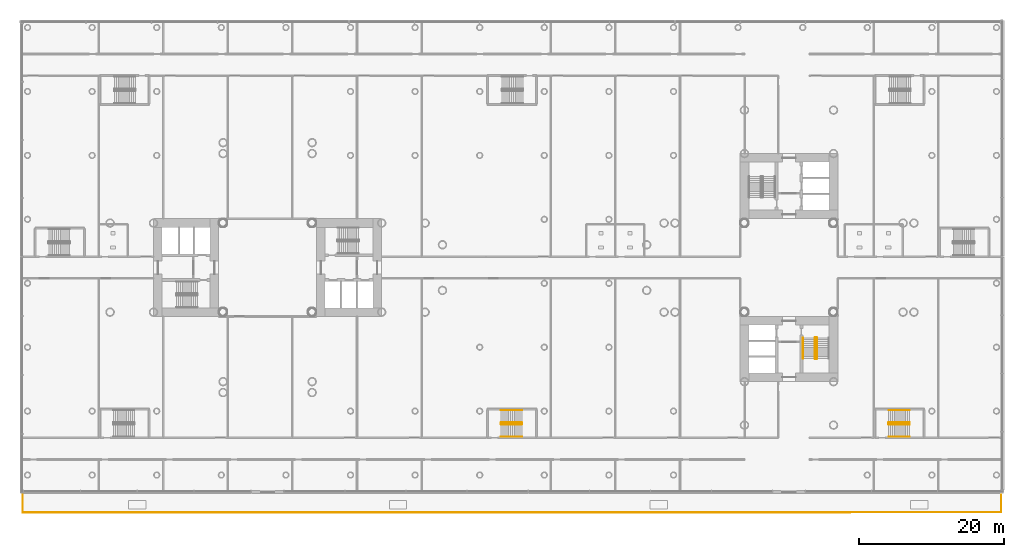
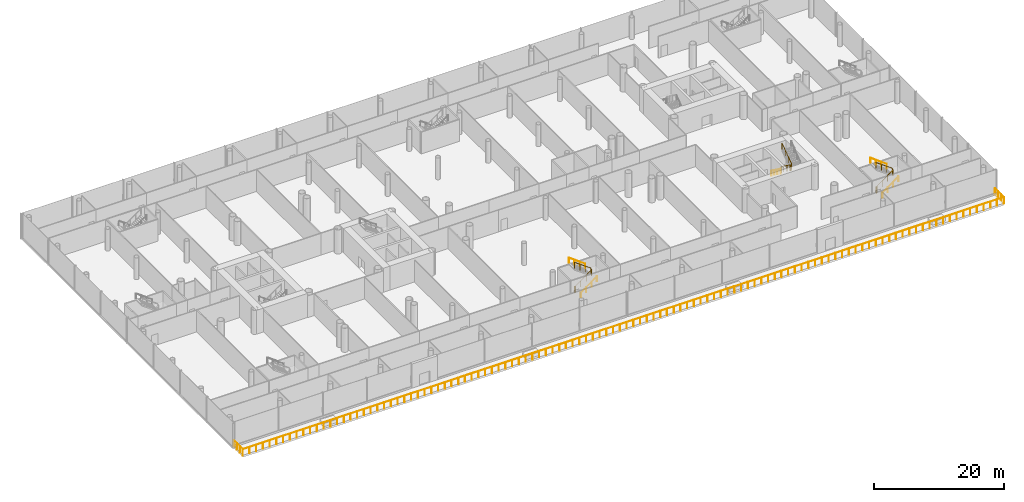
# One storey, part 47 of 49: 9 railings.
"""IFC4 building model written with IfcOpenShell, lengths in metres."""

from ifc_helpers import new_model, si_unit, direction, frame, origin, origin_2d, place, context, subcontext, project, spatial, circle, extrude, material, type_object, element, save


model = new_model("IFC4")

# Units and contexts
model_context = context("Model", 3, precision=1e-05, world=origin(), true_north=direction((0.0, 1.0)))
body_context = subcontext(model_context, "Body", "Model", "MODEL_VIEW")
ifc_project = project(units=[si_unit("LENGTHUNIT", "METRE"), si_unit("AREAUNIT", "SQUARE_METRE"), si_unit("VOLUMEUNIT", "CUBIC_METRE"), si_unit("PLANEANGLEUNIT", "RADIAN"), si_unit("MASSUNIT", "GRAM", prefix="KILO")], contexts=[model_context])

# Site, building, storey
site_placement = place(None, origin())
site = spatial("IfcSite", under=ifc_project, at=site_placement, CompositionType="ELEMENT")
building_placement = place(site_placement, origin())
building = spatial("IfcBuilding", under=site, at=building_placement, Name="Ipe Terrace Towers", CompositionType="ELEMENT")
storey_placement = place(building_placement, frame((0.0, 0.0, 20.0)))
storey = spatial("IfcBuildingStorey", under=building, at=storey_placement, Name="L04", CompositionType="ELEMENT", Elevation=20.0)

# Railings
ifc_material_1 = material(Name="Stainless steel S316", Category="steel")
railing_type_1 = type_object("IfcRailingType", Name="ROOF GUARD 1200", PredefinedType="BALUSTRADE", material=ifc_material_1)
railing_1_placement = place(storey_placement, frame((65.300048828125, -31.070068359375, -0.02001953125)))
element("IfcRailing", 1, at=railing_1_placement, inside=storey, type_object=railing_type_1, Name="roof guard", PredefinedType="BALUSTRADE", context=body_context, shape_type="SweptSolid", body=[
    extrude(circle(Radius=0.02392578125, at=origin_2d()), frame((0.0, 0.0, 1.17578125), z_axis=(0.0, -1.0, 0.0), x_axis=(1.0, 0.0, 0.0)), (0.0, 0.0, 1.0), 2.72998046875),
    extrude(circle(Radius=0.02392578125, at=origin_2d()), frame((0.0, -2.72998046875, 1.17578125), z_axis=(-1.0, 0.0, 0.0), x_axis=(0.0, -1.0, 0.0)), (0.0, 0.0, 1.0), 135.10009765625),
    extrude(circle(Radius=0.02392578125, at=origin_2d()), frame((-135.10009765625, -2.72998046875, 1.17578125), z_axis=(0.0, 1.0, 0.0), x_axis=(-1.0, 0.0, 0.0)), (0.0, 0.0, 1.0), 2.72998046875),
    extrude(circle(Radius=0.02099609375, at=origin_2d()), origin(), (0.0, 0.0, 1.0), 1.15185546875),
    extrude(circle(Radius=0.02099609375, at=origin_2d()), frame((0.0, -0.909912109375, 0.0)), (0.0, 0.0, 1.0), 1.15185546875),
    extrude(circle(Radius=0.02099609375, at=origin_2d()), frame((0.0, -1.820068359375, 0.0)), (0.0, 0.0, 1.0), 1.15185546875),
    extrude(circle(Radius=0.02099609375, at=origin_2d()), frame((0.0, -2.72998046875, 0.0)), (0.0, 0.0, 1.0), 1.15185546875),
    extrude(circle(Radius=0.02099609375, at=origin_2d()), frame((-1.195556640625, -2.72998046875, 0.0)), (0.0, 0.0, 1.0), 1.15185546875),
    extrude(circle(Radius=0.02099609375, at=origin_2d()), frame((-2.39111328125, -2.72998046875, 0.0)), (0.0, 0.0, 1.0), 1.15185546875),
    extrude(circle(Radius=0.02099609375, at=origin_2d()), frame((-3.586669921875, -2.72998046875, 0.0)), (0.0, 0.0, 1.0), 1.15185546875),
    extrude(circle(Radius=0.02099609375, at=origin_2d()), frame((-4.7822265625, -2.72998046875, 0.0)), (0.0, 0.0, 1.0), 1.15185546875),
    extrude(circle(Radius=0.02099609375, at=origin_2d()), frame((-5.977783203125, -2.72998046875, 0.0)), (0.0, 0.0, 1.0), 1.15185546875),
    extrude(circle(Radius=0.02099609375, at=origin_2d()), frame((-7.17333984375, -2.72998046875, 0.0)), (0.0, 0.0, 1.0), 1.15185546875),
    extrude(circle(Radius=0.02099609375, at=origin_2d()), frame((-8.369140625, -2.72998046875, 0.0)), (0.0, 0.0, 1.0), 1.15185546875),
    extrude(circle(Radius=0.02099609375, at=origin_2d()), frame((-9.564697265625, -2.72998046875, 0.0)), (0.0, 0.0, 1.0), 1.15185546875),
    extrude(circle(Radius=0.02099609375, at=origin_2d()), frame((-10.76025390625, -2.72998046875, 0.0)), (0.0, 0.0, 1.0), 1.15185546875),
    extrude(circle(Radius=0.02099609375, at=origin_2d()), frame((-11.955810546875, -2.72998046875, 0.0)), (0.0, 0.0, 1.0), 1.15185546875),
    extrude(circle(Radius=0.02099609375, at=origin_2d()), frame((-13.1513671875, -2.72998046875, 0.0)), (0.0, 0.0, 1.0), 1.15185546875),
    extrude(circle(Radius=0.02099609375, at=origin_2d()), frame((-14.346923828125, -2.72998046875, 0.0)), (0.0, 0.0, 1.0), 1.15185546875),
    extrude(circle(Radius=0.02099609375, at=origin_2d()), frame((-15.54248046875, -2.72998046875, 0.0)), (0.0, 0.0, 1.0), 1.15185546875),
    extrude(circle(Radius=0.02099609375, at=origin_2d()), frame((-16.738037109375, -2.72998046875, 0.0)), (0.0, 0.0, 1.0), 1.15185546875),
    extrude(circle(Radius=0.02099609375, at=origin_2d()), frame((-17.93359375, -2.72998046875, 0.0)), (0.0, 0.0, 1.0), 1.15185546875),
    extrude(circle(Radius=0.02099609375, at=origin_2d()), frame((-19.129150390625, -2.72998046875, 0.0)), (0.0, 0.0, 1.0), 1.15185546875),
    extrude(circle(Radius=0.02099609375, at=origin_2d()), frame((-20.32470703125, -2.72998046875, 0.0)), (0.0, 0.0, 1.0), 1.15185546875),
    extrude(circle(Radius=0.02099609375, at=origin_2d()), frame((-21.520263671875, -2.72998046875, 0.0)), (0.0, 0.0, 1.0), 1.15185546875),
    extrude(circle(Radius=0.02099609375, at=origin_2d()), frame((-22.716064453125, -2.72998046875, 0.0)), (0.0, 0.0, 1.0), 1.15185546875),
    extrude(circle(Radius=0.02099609375, at=origin_2d()), frame((-23.91162109375, -2.72998046875, 0.0)), (0.0, 0.0, 1.0), 1.15185546875),
    extrude(circle(Radius=0.02099609375, at=origin_2d()), frame((-25.107177734375, -2.72998046875, 0.0)), (0.0, 0.0, 1.0), 1.15185546875),
    extrude(circle(Radius=0.02099609375, at=origin_2d()), frame((-26.302734375, -2.72998046875, 0.0)), (0.0, 0.0, 1.0), 1.15185546875),
    extrude(circle(Radius=0.02099609375, at=origin_2d()), frame((-27.498291015625, -2.72998046875, 0.0)), (0.0, 0.0, 1.0), 1.15185546875),
    extrude(circle(Radius=0.02099609375, at=origin_2d()), frame((-28.69384765625, -2.72998046875, 0.0)), (0.0, 0.0, 1.0), 1.15185546875),
    extrude(circle(Radius=0.02099609375, at=origin_2d()), frame((-29.889404296875, -2.72998046875, 0.0)), (0.0, 0.0, 1.0), 1.15185546875),
    extrude(circle(Radius=0.02099609375, at=origin_2d()), frame((-31.0849609375, -2.72998046875, 0.0)), (0.0, 0.0, 1.0), 1.15185546875),
    extrude(circle(Radius=0.02099609375, at=origin_2d()), frame((-32.280517578125, -2.72998046875, 0.0)), (0.0, 0.0, 1.0), 1.15185546875),
    extrude(circle(Radius=0.02099609375, at=origin_2d()), frame((-33.47607421875, -2.72998046875, 0.0)), (0.0, 0.0, 1.0), 1.15185546875),
    extrude(circle(Radius=0.02099609375, at=origin_2d()), frame((-34.671630859375, -2.72998046875, 0.0)), (0.0, 0.0, 1.0), 1.15185546875),
    extrude(circle(Radius=0.02099609375, at=origin_2d()), frame((-35.8671875, -2.72998046875, 0.0)), (0.0, 0.0, 1.0), 1.15185546875),
    extrude(circle(Radius=0.02099609375, at=origin_2d()), frame((-37.062744140625, -2.72998046875, 0.0)), (0.0, 0.0, 1.0), 1.15185546875),
    extrude(circle(Radius=0.02099609375, at=origin_2d()), frame((-38.258544921875, -2.72998046875, 0.0)), (0.0, 0.0, 1.0), 1.15185546875),
    extrude(circle(Radius=0.02099609375, at=origin_2d()), frame((-39.4541015625, -2.72998046875, 0.0)), (0.0, 0.0, 1.0), 1.15185546875),
    extrude(circle(Radius=0.02099609375, at=origin_2d()), frame((-40.649658203125, -2.72998046875, 0.0)), (0.0, 0.0, 1.0), 1.15185546875),
    extrude(circle(Radius=0.02099609375, at=origin_2d()), frame((-41.84521484375, -2.72998046875, 0.0)), (0.0, 0.0, 1.0), 1.15185546875),
    extrude(circle(Radius=0.02099609375, at=origin_2d()), frame((-43.040771484375, -2.72998046875, 0.0)), (0.0, 0.0, 1.0), 1.15185546875),
    extrude(circle(Radius=0.02099609375, at=origin_2d()), frame((-44.236328125, -2.72998046875, 0.0)), (0.0, 0.0, 1.0), 1.15185546875),
    extrude(circle(Radius=0.02099609375, at=origin_2d()), frame((-45.431884765625, -2.72998046875, 0.0)), (0.0, 0.0, 1.0), 1.15185546875),
    extrude(circle(Radius=0.02099609375, at=origin_2d()), frame((-46.62744140625, -2.72998046875, 0.0)), (0.0, 0.0, 1.0), 1.15185546875),
    extrude(circle(Radius=0.02099609375, at=origin_2d()), frame((-47.822998046875, -2.72998046875, 0.0)), (0.0, 0.0, 1.0), 1.15185546875),
    extrude(circle(Radius=0.02099609375, at=origin_2d()), frame((-49.0185546875, -2.72998046875, 0.0)), (0.0, 0.0, 1.0), 1.15185546875),
    extrude(circle(Radius=0.02099609375, at=origin_2d()), frame((-50.214111328125, -2.72998046875, 0.0)), (0.0, 0.0, 1.0), 1.15185546875),
    extrude(circle(Radius=0.02099609375, at=origin_2d()), frame((-51.40966796875, -2.72998046875, 0.0)), (0.0, 0.0, 1.0), 1.15185546875),
    extrude(circle(Radius=0.02099609375, at=origin_2d()), frame((-52.60546875, -2.72998046875, 0.0)), (0.0, 0.0, 1.0), 1.15185546875),
    extrude(circle(Radius=0.02099609375, at=origin_2d()), frame((-53.801025390625, -2.72998046875, 0.0)), (0.0, 0.0, 1.0), 1.15185546875),
    extrude(circle(Radius=0.02099609375, at=origin_2d()), frame((-54.99658203125, -2.72998046875, 0.0)), (0.0, 0.0, 1.0), 1.15185546875),
    extrude(circle(Radius=0.02099609375, at=origin_2d()), frame((-56.192138671875, -2.72998046875, 0.0)), (0.0, 0.0, 1.0), 1.15185546875),
    extrude(circle(Radius=0.02099609375, at=origin_2d()), frame((-57.3876953125, -2.72998046875, 0.0)), (0.0, 0.0, 1.0), 1.15185546875),
    extrude(circle(Radius=0.02099609375, at=origin_2d()), frame((-58.583251953125, -2.72998046875, 0.0)), (0.0, 0.0, 1.0), 1.15185546875),
    extrude(circle(Radius=0.02099609375, at=origin_2d()), frame((-59.77880859375, -2.72998046875, 0.0)), (0.0, 0.0, 1.0), 1.15185546875),
    extrude(circle(Radius=0.02099609375, at=origin_2d()), frame((-60.974365234375, -2.72998046875, 0.0)), (0.0, 0.0, 1.0), 1.15185546875),
    extrude(circle(Radius=0.02099609375, at=origin_2d()), frame((-62.169921875, -2.72998046875, 0.0)), (0.0, 0.0, 1.0), 1.15185546875),
    extrude(circle(Radius=0.02099609375, at=origin_2d()), frame((-63.365478515625, -2.72998046875, 0.0)), (0.0, 0.0, 1.0), 1.15185546875),
    extrude(circle(Radius=0.02099609375, at=origin_2d()), frame((-64.56103515625, -2.72998046875, 0.0)), (0.0, 0.0, 1.0), 1.15185546875),
    extrude(circle(Radius=0.02099609375, at=origin_2d()), frame((-65.756591796875, -2.72998046875, 0.0)), (0.0, 0.0, 1.0), 1.15185546875),
    extrude(circle(Radius=0.02099609375, at=origin_2d()), frame((-66.9521484375, -2.72998046875, 0.0)), (0.0, 0.0, 1.0), 1.15185546875),
    extrude(circle(Radius=0.02099609375, at=origin_2d()), frame((-68.14794921875, -2.72998046875, 0.0)), (0.0, 0.0, 1.0), 1.15185546875),
    extrude(circle(Radius=0.02099609375, at=origin_2d()), frame((-69.343505859375, -2.72998046875, 0.0)), (0.0, 0.0, 1.0), 1.15185546875),
    extrude(circle(Radius=0.02099609375, at=origin_2d()), frame((-70.5390625, -2.72998046875, 0.0)), (0.0, 0.0, 1.0), 1.15185546875),
    extrude(circle(Radius=0.02099609375, at=origin_2d()), frame((-71.734619140625, -2.72998046875, 0.0)), (0.0, 0.0, 1.0), 1.15185546875),
    extrude(circle(Radius=0.02099609375, at=origin_2d()), frame((-72.93017578125, -2.72998046875, 0.0)), (0.0, 0.0, 1.0), 1.15185546875),
    extrude(circle(Radius=0.02099609375, at=origin_2d()), frame((-74.125732421875, -2.72998046875, 0.0)), (0.0, 0.0, 1.0), 1.15185546875),
    extrude(circle(Radius=0.02099609375, at=origin_2d()), frame((-75.3212890625, -2.72998046875, 0.0)), (0.0, 0.0, 1.0), 1.15185546875),
    extrude(circle(Radius=0.02099609375, at=origin_2d()), frame((-76.516845703125, -2.72998046875, 0.0)), (0.0, 0.0, 1.0), 1.15185546875),
    extrude(circle(Radius=0.02099609375, at=origin_2d()), frame((-77.71240234375, -2.72998046875, 0.0)), (0.0, 0.0, 1.0), 1.15185546875),
    extrude(circle(Radius=0.02099609375, at=origin_2d()), frame((-78.907958984375, -2.72998046875, 0.0)), (0.0, 0.0, 1.0), 1.15185546875),
    extrude(circle(Radius=0.02099609375, at=origin_2d()), frame((-80.103515625, -2.72998046875, 0.0)), (0.0, 0.0, 1.0), 1.15185546875),
    extrude(circle(Radius=0.02099609375, at=origin_2d()), frame((-81.299072265625, -2.72998046875, 0.0)), (0.0, 0.0, 1.0), 1.15185546875),
    extrude(circle(Radius=0.02099609375, at=origin_2d()), frame((-82.49462890625, -2.72998046875, 0.0)), (0.0, 0.0, 1.0), 1.15185546875),
    extrude(circle(Radius=0.02099609375, at=origin_2d()), frame((-83.6904296875, -2.72998046875, 0.0)), (0.0, 0.0, 1.0), 1.15185546875),
    extrude(circle(Radius=0.02099609375, at=origin_2d()), frame((-84.885986328125, -2.72998046875, 0.0)), (0.0, 0.0, 1.0), 1.15185546875),
    extrude(circle(Radius=0.02099609375, at=origin_2d()), frame((-86.08154296875, -2.72998046875, 0.0)), (0.0, 0.0, 1.0), 1.15185546875),
    extrude(circle(Radius=0.02099609375, at=origin_2d()), frame((-87.277099609375, -2.72998046875, 0.0)), (0.0, 0.0, 1.0), 1.15185546875),
    extrude(circle(Radius=0.02099609375, at=origin_2d()), frame((-88.47265625, -2.72998046875, 0.0)), (0.0, 0.0, 1.0), 1.15185546875),
    extrude(circle(Radius=0.02099609375, at=origin_2d()), frame((-89.668212890625, -2.72998046875, 0.0)), (0.0, 0.0, 1.0), 1.15185546875),
    extrude(circle(Radius=0.02099609375, at=origin_2d()), frame((-90.86376953125, -2.72998046875, 0.0)), (0.0, 0.0, 1.0), 1.15185546875),
    extrude(circle(Radius=0.02099609375, at=origin_2d()), frame((-92.059326171875, -2.72998046875, 0.0)), (0.0, 0.0, 1.0), 1.15185546875),
    extrude(circle(Radius=0.02099609375, at=origin_2d()), frame((-93.2548828125, -2.72998046875, 0.0)), (0.0, 0.0, 1.0), 1.15185546875),
    extrude(circle(Radius=0.02099609375, at=origin_2d()), frame((-94.450439453125, -2.72998046875, 0.0)), (0.0, 0.0, 1.0), 1.15185546875),
    extrude(circle(Radius=0.02099609375, at=origin_2d()), frame((-95.64599609375, -2.72998046875, 0.0)), (0.0, 0.0, 1.0), 1.15185546875),
    extrude(circle(Radius=0.02099609375, at=origin_2d()), frame((-96.841552734375, -2.72998046875, 0.0)), (0.0, 0.0, 1.0), 1.15185546875),
    extrude(circle(Radius=0.02099609375, at=origin_2d()), frame((-98.037353515625, -2.72998046875, 0.0)), (0.0, 0.0, 1.0), 1.15185546875),
    extrude(circle(Radius=0.02099609375, at=origin_2d()), frame((-99.23291015625, -2.72998046875, 0.0)), (0.0, 0.0, 1.0), 1.15185546875),
    extrude(circle(Radius=0.02099609375, at=origin_2d()), frame((-100.428466796875, -2.72998046875, 0.0)), (0.0, 0.0, 1.0), 1.15185546875),
    extrude(circle(Radius=0.02099609375, at=origin_2d()), frame((-101.6240234375, -2.72998046875, 0.0)), (0.0, 0.0, 1.0), 1.15185546875),
    extrude(circle(Radius=0.02099609375, at=origin_2d()), frame((-102.819580078125, -2.72998046875, 0.0)), (0.0, 0.0, 1.0), 1.15185546875),
    extrude(circle(Radius=0.02099609375, at=origin_2d()), frame((-104.01513671875, -2.72998046875, 0.0)), (0.0, 0.0, 1.0), 1.15185546875),
    extrude(circle(Radius=0.02099609375, at=origin_2d()), frame((-105.210693359375, -2.72998046875, 0.0)), (0.0, 0.0, 1.0), 1.15185546875),
    extrude(circle(Radius=0.02099609375, at=origin_2d()), frame((-106.40625, -2.72998046875, 0.0)), (0.0, 0.0, 1.0), 1.15185546875),
    extrude(circle(Radius=0.02099609375, at=origin_2d()), frame((-107.601806640625, -2.72998046875, 0.0)), (0.0, 0.0, 1.0), 1.15185546875),
    extrude(circle(Radius=0.02099609375, at=origin_2d()), frame((-108.79736328125, -2.72998046875, 0.0)), (0.0, 0.0, 1.0), 1.15185546875),
    extrude(circle(Radius=0.02099609375, at=origin_2d()), frame((-109.992919921875, -2.72998046875, 0.0)), (0.0, 0.0, 1.0), 1.15185546875),
    extrude(circle(Radius=0.02099609375, at=origin_2d()), frame((-111.1884765625, -2.72998046875, 0.0)), (0.0, 0.0, 1.0), 1.15185546875),
    extrude(circle(Radius=0.02099609375, at=origin_2d()), frame((-112.384033203125, -2.72998046875, 0.0)), (0.0, 0.0, 1.0), 1.15185546875),
    extrude(circle(Radius=0.02099609375, at=origin_2d()), frame((-113.579833984375, -2.72998046875, 0.0)), (0.0, 0.0, 1.0), 1.15185546875),
    extrude(circle(Radius=0.02099609375, at=origin_2d()), frame((-114.775390625, -2.72998046875, 0.0)), (0.0, 0.0, 1.0), 1.15185546875),
    extrude(circle(Radius=0.02099609375, at=origin_2d()), frame((-115.970947265625, -2.72998046875, 0.0)), (0.0, 0.0, 1.0), 1.15185546875),
    extrude(circle(Radius=0.02099609375, at=origin_2d()), frame((-117.16650390625, -2.72998046875, 0.0)), (0.0, 0.0, 1.0), 1.15185546875),
    extrude(circle(Radius=0.02099609375, at=origin_2d()), frame((-118.362060546875, -2.72998046875, 0.0)), (0.0, 0.0, 1.0), 1.15185546875),
    extrude(circle(Radius=0.02099609375, at=origin_2d()), frame((-119.5576171875, -2.72998046875, 0.0)), (0.0, 0.0, 1.0), 1.15185546875),
    extrude(circle(Radius=0.02099609375, at=origin_2d()), frame((-120.753173828125, -2.72998046875, 0.0)), (0.0, 0.0, 1.0), 1.15185546875),
    extrude(circle(Radius=0.02099609375, at=origin_2d()), frame((-121.94873046875, -2.72998046875, 0.0)), (0.0, 0.0, 1.0), 1.15185546875),
    extrude(circle(Radius=0.02099609375, at=origin_2d()), frame((-123.144287109375, -2.72998046875, 0.0)), (0.0, 0.0, 1.0), 1.15185546875),
    extrude(circle(Radius=0.02099609375, at=origin_2d()), frame((-124.33984375, -2.72998046875, 0.0)), (0.0, 0.0, 1.0), 1.15185546875),
    extrude(circle(Radius=0.02099609375, at=origin_2d()), frame((-125.535400390625, -2.72998046875, 0.0)), (0.0, 0.0, 1.0), 1.15185546875),
    extrude(circle(Radius=0.02099609375, at=origin_2d()), frame((-126.73095703125, -2.72998046875, 0.0)), (0.0, 0.0, 1.0), 1.15185546875),
    extrude(circle(Radius=0.02099609375, at=origin_2d()), frame((-127.9267578125, -2.72998046875, 0.0)), (0.0, 0.0, 1.0), 1.15185546875),
    extrude(circle(Radius=0.02099609375, at=origin_2d()), frame((-129.122314453125, -2.72998046875, 0.0)), (0.0, 0.0, 1.0), 1.15185546875),
    extrude(circle(Radius=0.02099609375, at=origin_2d()), frame((-130.31787109375, -2.72998046875, 0.0)), (0.0, 0.0, 1.0), 1.15185546875),
    extrude(circle(Radius=0.02099609375, at=origin_2d()), frame((-131.513427734375, -2.72998046875, 0.0)), (0.0, 0.0, 1.0), 1.15185546875),
    extrude(circle(Radius=0.02099609375, at=origin_2d()), frame((-132.708984375, -2.72998046875, 0.0)), (0.0, 0.0, 1.0), 1.15185546875),
    extrude(circle(Radius=0.02099609375, at=origin_2d()), frame((-133.904541015625, -2.72998046875, 0.0)), (0.0, 0.0, 1.0), 1.15185546875),
    extrude(circle(Radius=0.02099609375, at=origin_2d()), frame((-135.10009765625, -2.72998046875, 0.0)), (0.0, 0.0, 1.0), 1.15185546875),
    extrude(circle(Radius=0.02099609375, at=origin_2d()), frame((-135.10009765625, -1.820068359375, 0.0)), (0.0, 0.0, 1.0), 1.15185546875),
    extrude(circle(Radius=0.02099609375, at=origin_2d()), frame((-135.10009765625, -0.909912109375, 0.0)), (0.0, 0.0, 1.0), 1.15185546875),
    extrude(circle(Radius=0.02099609375, at=origin_2d()), frame((-135.10009765625, 0.0, 0.0)), (0.0, 0.0, 1.0), 1.15185546875),
])
ifc_material_2 = material(Name="Steel S355", Category="steel")
railing_type_2 = type_object("IfcRailingType", Name="Stair guard 1100", PredefinedType="GUARDRAIL", material=ifc_material_2)
railing_2_placement = place(storey_placement, frame((39.800048828125, -9.64990234375, 0.0)))
element("IfcRailing", 2, at=railing_2_placement, inside=storey, type_object=railing_type_2, Name="L04 T2-ST2 stair guard 1", PredefinedType="GUARDRAIL", context=body_context, shape_type="SweptSolid", body=[
    extrude(circle(Radius=0.02392578125, at=origin_2d()), frame((0.0, 0.0, 1.076171875), z_axis=(-1.0, 0.0, 0.0), x_axis=(0.0, -1.0, 0.0)), (0.0, 0.0, 1.0), 0.150146484375),
    extrude(circle(Radius=0.02392578125, at=origin_2d()), frame((-0.150146484375, 0.0, 1.076171875), z_axis=(-0.248583702486, -0.249802250048, 0.935844527007), x_axis=(0.708833529934, -0.705375805398, 0.0)), (0.0, 0.0, 1.0), 0.200439453125),
    extrude(circle(Radius=0.02392578125, at=origin_2d()), frame((-0.199951171875, -0.050048828125, 1.263671875), z_axis=(0.0, -0.811100754333, 0.584906459462), x_axis=(1.0, 0.0, 0.0)), (0.0, 0.0, 1.0), 3.526123046875),
    extrude(circle(Radius=0.02392578125, at=origin_2d()), frame((-0.199951171875, -2.91015625, 3.326171875), z_axis=(0.705375805398, -0.708833529934, 0.0), x_axis=(0.708833529934, 0.705375805398, 0.0)), (0.0, 0.0, 1.0), 0.070556640625),
    extrude(circle(Radius=0.02392578125, at=origin_2d()), frame((-0.150146484375, -2.960205078125, 3.326171875), z_axis=(1.0, 0.0, 0.0), x_axis=(0.0, 1.0, 0.0)), (0.0, 0.0, 1.0), 0.150146484375),
    extrude(circle(Radius=0.02392578125, at=origin_2d()), frame((0.0, -2.960205078125, 3.326171875), z_axis=(0.249726431254, 0.249726431254, 0.935560483917), x_axis=(-0.707106781187, 0.707106781187, 0.0)), (0.0, 0.0, 1.0), 0.200439453125),
    extrude(circle(Radius=0.02392578125, at=origin_2d()), frame((0.050048828125, -2.91015625, 3.513671875), z_axis=(0.0, 0.811100754333, 0.584906459462), x_axis=(-1.0, 0.0, 0.0)), (0.0, 0.0, 1.0), 3.526123046875),
    extrude(circle(Radius=0.02099609375, at=origin_2d()), origin(), (0.0, 0.0, 1.0), 1.052001953125),
    extrude(circle(Radius=0.02099609375, at=origin_2d()), frame((-0.150146484375, 0.0, 0.0)), (0.0, 0.0, 1.0), 1.052001953125),
    extrude(circle(Radius=0.02099609375, at=origin_2d()), frame((-0.199951171875, -0.050048828125, 0.1875)), (0.0, 0.0, 1.0), 1.052001953125),
    extrude(circle(Radius=0.02099609375, at=origin_2d()), frame((-0.199951171875, -1.00341796875, 0.875)), (0.0, 0.0, 1.0), 1.052001953125),
    extrude(circle(Radius=0.02099609375, at=origin_2d()), frame((-0.199951171875, -1.956787109375, 1.5625)), (0.0, 0.0, 1.0), 1.052001953125),
    extrude(circle(Radius=0.02099609375, at=origin_2d()), frame((-0.199951171875, -2.91015625, 2.25)), (0.0, 0.0, 1.0), 1.052001953125),
    extrude(circle(Radius=0.02099609375, at=origin_2d()), frame((-0.150146484375, -2.960205078125, 2.25)), (0.0, 0.0, 1.0), 1.052001953125),
    extrude(circle(Radius=0.02099609375, at=origin_2d()), frame((0.0, -2.960205078125, 2.25)), (0.0, 0.0, 1.0), 1.052001953125),
    extrude(circle(Radius=0.02099609375, at=origin_2d()), frame((0.050048828125, -2.91015625, 2.4375)), (0.0, 0.0, 1.0), 1.052001953125),
    extrude(circle(Radius=0.02099609375, at=origin_2d()), frame((0.050048828125, -1.956787109375, 3.125)), (0.0, 0.0, 1.0), 1.052001953125),
    extrude(circle(Radius=0.02099609375, at=origin_2d()), frame((0.050048828125, -1.00341796875, 3.8125)), (0.0, 0.0, 1.0), 1.052001953125),
    extrude(circle(Radius=0.02099609375, at=origin_2d()), frame((0.050048828125, -0.050048828125, 4.5)), (0.0, 0.0, 1.0), 1.052001953125),
])
railing_3_placement = place(storey_placement, frame((-3.800048828125, -21.449951171875, 0.0)))
element("IfcRailing", 3, at=railing_3_placement, inside=storey, type_object=railing_type_2, Name="L04 PS5 stair guard 1", PredefinedType="GUARDRAIL", context=body_context, shape_type="SweptSolid", body=[
    extrude(circle(Radius=0.02392578125, at=origin_2d()), frame((0.0, 0.0, 1.076171875), z_axis=(0.0, -1.0, 0.0), x_axis=(1.0, 0.0, 0.0)), (0.0, 0.0, 1.0), 0.150146484375),
    extrude(circle(Radius=0.02392578125, at=origin_2d()), frame((0.0, -0.150146484375, 1.076171875), z_axis=(0.249802250048, -0.248583702486, 0.935844527007), x_axis=(0.705375805398, 0.708833529934, 0.0)), (0.0, 0.0, 1.0), 0.200439453125),
    extrude(circle(Radius=0.02392578125, at=origin_2d()), frame((0.050048828125, -0.199951171875, 1.263671875), z_axis=(0.811100754333, 0.0, 0.584906459462), x_axis=(0.0, 1.0, 0.0)), (0.0, 0.0, 1.0), 3.526123046875),
    extrude(circle(Radius=0.02392578125, at=origin_2d()), frame((2.91015625, -0.199951171875, 3.326171875), z_axis=(0.707106781187, 0.707106781187, 0.0), x_axis=(-0.707106781187, 0.707106781187, 0.0)), (0.0, 0.0, 1.0), 0.0703125),
    extrude(circle(Radius=0.02392578125, at=origin_2d()), frame((2.9599609375, -0.150146484375, 3.326171875), z_axis=(0.0, 1.0, 0.0), x_axis=(-1.0, 0.0, 0.0)), (0.0, 0.0, 1.0), 0.150146484375),
    extrude(circle(Radius=0.02392578125, at=origin_2d()), frame((2.9599609375, 0.0, 3.326171875), z_axis=(-0.248583702486, 0.249802250048, 0.935844527007), x_axis=(-0.708833529934, -0.705375805398, 0.0)), (0.0, 0.0, 1.0), 0.200439453125),
    extrude(circle(Radius=0.02392578125, at=origin_2d()), frame((2.91015625, 0.050048828125, 3.513671875), z_axis=(-0.811100754333, 0.0, 0.584906459462), x_axis=(0.0, -1.0, 0.0)), (0.0, 0.0, 1.0), 3.526123046875),
    extrude(circle(Radius=0.02099609375, at=origin_2d()), origin(), (0.0, 0.0, 1.0), 1.052001953125),
    extrude(circle(Radius=0.02099609375, at=origin_2d()), frame((0.0, -0.150146484375, 0.0)), (0.0, 0.0, 1.0), 1.052001953125),
    extrude(circle(Radius=0.02099609375, at=origin_2d()), frame((0.050048828125, -0.199951171875, 0.1875)), (0.0, 0.0, 1.0), 1.052001953125),
    extrude(circle(Radius=0.02099609375, at=origin_2d()), frame((1.00341796875, -0.199951171875, 0.875)), (0.0, 0.0, 1.0), 1.052001953125),
    extrude(circle(Radius=0.02099609375, at=origin_2d()), frame((1.956787109375, -0.199951171875, 1.5625)), (0.0, 0.0, 1.0), 1.052001953125),
    extrude(circle(Radius=0.02099609375, at=origin_2d()), frame((2.91015625, -0.199951171875, 2.25)), (0.0, 0.0, 1.0), 1.052001953125),
    extrude(circle(Radius=0.02099609375, at=origin_2d()), frame((2.9599609375, -0.150146484375, 2.25)), (0.0, 0.0, 1.0), 1.052001953125),
    extrude(circle(Radius=0.02099609375, at=origin_2d()), frame((2.9599609375, 0.0, 2.25)), (0.0, 0.0, 1.0), 1.052001953125),
    extrude(circle(Radius=0.02099609375, at=origin_2d()), frame((2.91015625, 0.050048828125, 2.4375)), (0.0, 0.0, 1.0), 1.052001953125),
    extrude(circle(Radius=0.02099609375, at=origin_2d()), frame((1.956787109375, 0.050048828125, 3.125)), (0.0, 0.0, 1.0), 1.052001953125),
    extrude(circle(Radius=0.02099609375, at=origin_2d()), frame((1.00341796875, 0.050048828125, 3.8125)), (0.0, 0.0, 1.0), 1.052001953125),
    extrude(circle(Radius=0.02099609375, at=origin_2d()), frame((0.050048828125, 0.050048828125, 4.5)), (0.0, 0.0, 1.0), 1.052001953125),
])
railing_4_placement = place(storey_placement, frame((49.719970703125, -21.449951171875, 0.0)))
element("IfcRailing", 4, at=railing_4_placement, inside=storey, type_object=railing_type_2, Name="L04 PS6 stair guard 1", PredefinedType="GUARDRAIL", context=body_context, shape_type="SweptSolid", body=[
    extrude(circle(Radius=0.02392578125, at=origin_2d()), frame((0.0, 0.0, 1.076171875), z_axis=(0.0, -1.0, 0.0), x_axis=(1.0, 0.0, 0.0)), (0.0, 0.0, 1.0), 0.150146484375),
    extrude(circle(Radius=0.02392578125, at=origin_2d()), frame((0.0, -0.150146484375, 1.076171875), z_axis=(0.249802250048, -0.248583702486, 0.935844527007), x_axis=(0.705375805398, 0.708833529934, 0.0)), (0.0, 0.0, 1.0), 0.200439453125),
    extrude(circle(Radius=0.02392578125, at=origin_2d()), frame((0.050048828125, -0.199951171875, 1.263671875), z_axis=(0.811077065594, 0.0, 0.584939307678), x_axis=(0.0, 1.0, 0.0)), (0.0, 0.0, 1.0), 3.526123046875),
    extrude(circle(Radius=0.02392578125, at=origin_2d()), frame((2.909912109375, -0.199951171875, 3.326171875), z_axis=(0.708833529934, 0.705375805398, 0.0), x_axis=(-0.705375805398, 0.708833529934, 0.0)), (0.0, 0.0, 1.0), 0.070556640625),
    extrude(circle(Radius=0.02392578125, at=origin_2d()), frame((2.9599609375, -0.150146484375, 3.326171875), z_axis=(0.0, 1.0, 0.0), x_axis=(-1.0, 0.0, 0.0)), (0.0, 0.0, 1.0), 0.150146484375),
    extrude(circle(Radius=0.02392578125, at=origin_2d()), frame((2.9599609375, 0.0, 3.326171875), z_axis=(-0.249726431254, 0.249726431254, 0.935560483917), x_axis=(-0.707106781187, -0.707106781187, 0.0)), (0.0, 0.0, 1.0), 0.200439453125),
    extrude(circle(Radius=0.02392578125, at=origin_2d()), frame((2.909912109375, 0.050048828125, 3.513671875), z_axis=(-0.811077065594, 0.0, 0.584939307678), x_axis=(0.0, -1.0, 0.0)), (0.0, 0.0, 1.0), 3.526123046875),
    extrude(circle(Radius=0.02099609375, at=origin_2d()), origin(), (0.0, 0.0, 1.0), 1.052001953125),
    extrude(circle(Radius=0.02099609375, at=origin_2d()), frame((0.0, -0.150146484375, 0.0)), (0.0, 0.0, 1.0), 1.052001953125),
    extrude(circle(Radius=0.02099609375, at=origin_2d()), frame((0.050048828125, -0.199951171875, 0.1875)), (0.0, 0.0, 1.0), 1.052001953125),
    extrude(circle(Radius=0.02099609375, at=origin_2d()), frame((1.00341796875, -0.199951171875, 0.875)), (0.0, 0.0, 1.0), 1.052001953125),
    extrude(circle(Radius=0.02099609375, at=origin_2d()), frame((1.95654296875, -0.199951171875, 1.5625)), (0.0, 0.0, 1.0), 1.052001953125),
    extrude(circle(Radius=0.02099609375, at=origin_2d()), frame((2.909912109375, -0.199951171875, 2.25)), (0.0, 0.0, 1.0), 1.052001953125),
    extrude(circle(Radius=0.02099609375, at=origin_2d()), frame((2.9599609375, -0.150146484375, 2.25)), (0.0, 0.0, 1.0), 1.052001953125),
    extrude(circle(Radius=0.02099609375, at=origin_2d()), frame((2.9599609375, 0.0, 2.25)), (0.0, 0.0, 1.0), 1.052001953125),
    extrude(circle(Radius=0.02099609375, at=origin_2d()), frame((2.909912109375, 0.050048828125, 2.4375)), (0.0, 0.0, 1.0), 1.052001953125),
    extrude(circle(Radius=0.02099609375, at=origin_2d()), frame((1.95654296875, 0.050048828125, 3.125)), (0.0, 0.0, 1.0), 1.052001953125),
    extrude(circle(Radius=0.02099609375, at=origin_2d()), frame((1.00341796875, 0.050048828125, 3.8125)), (0.0, 0.0, 1.0), 1.052001953125),
    extrude(circle(Radius=0.02099609375, at=origin_2d()), frame((0.050048828125, 0.050048828125, 4.5)), (0.0, 0.0, 1.0), 1.052001953125),
])
ifc_material_3 = material(Name="Stainless steel grade 304", Category="steel")
railing_type_3 = type_object("IfcRailingType", Name="Stair handrail 900", PredefinedType="HANDRAIL", material=ifc_material_3)
railing_5_placement = place(storey_placement, frame((37.949951171875, -9.699951171875, 0.1875)))
element("IfcRailing", 5, at=railing_5_placement, inside=storey, type_object=railing_type_3, Name="L04 T2-ST2 stair handrail 1", PredefinedType="HANDRAIL", context=body_context, shape_type="SweptSolid", body=[
    extrude(circle(Radius=0.02392578125, at=origin_2d()), frame((0.0, 0.0, 0.8759765625), z_axis=(0.0, -0.811100754333, 0.584906459462), x_axis=(1.0, 0.0, 0.0)), (0.0, 0.0, 1.0), 3.526123046875),
    extrude(circle(Radius=0.02099609375, at=origin_2d()), origin(), (0.0, 0.0, 1.0), 0.851806640625),
    extrude(circle(Radius=0.02099609375, at=origin_2d()), frame((0.0, -0.953369140625, 0.6875)), (0.0, 0.0, 1.0), 0.851806640625),
    extrude(circle(Radius=0.02099609375, at=origin_2d()), frame((0.0, -1.90673828125, 1.375)), (0.0, 0.0, 1.0), 0.851806640625),
    extrude(circle(Radius=0.02099609375, at=origin_2d()), frame((0.0, -2.860107421875, 2.0625)), (0.0, 0.0, 1.0), 0.851806640625),
])
railing_6_placement = place(storey_placement, frame((-3.75, -23.35009765625, 0.1875)))
element("IfcRailing", 6, at=railing_6_placement, inside=storey, type_object=railing_type_3, Name="L04 PS5 stair handrail 1", PredefinedType="HANDRAIL", context=body_context, shape_type="SweptSolid", body=[
    extrude(circle(Radius=0.02392578125, at=origin_2d()), frame((0.0, 0.0, 0.8759765625), z_axis=(0.811100754333, 0.0, 0.584906459462), x_axis=(0.0, 1.0, 0.0)), (0.0, 0.0, 1.0), 3.526123046875),
    extrude(circle(Radius=0.02099609375, at=origin_2d()), origin(), (0.0, 0.0, 1.0), 0.851806640625),
    extrude(circle(Radius=0.02099609375, at=origin_2d()), frame((0.953369140625, 0.0, 0.6875)), (0.0, 0.0, 1.0), 0.851806640625),
    extrude(circle(Radius=0.02099609375, at=origin_2d()), frame((1.90673828125, 0.0, 1.375)), (0.0, 0.0, 1.0), 0.851806640625),
    extrude(circle(Radius=0.02099609375, at=origin_2d()), frame((2.860107421875, 0.0, 2.0625)), (0.0, 0.0, 1.0), 0.851806640625),
])
railing_7_placement = place(storey_placement, frame((-0.889892578125, -19.699951171875, 2.4375)))
element("IfcRailing", 7, at=railing_7_placement, inside=storey, type_object=railing_type_3, Name="L04 PS5 stair handrail 2", PredefinedType="HANDRAIL", context=body_context, shape_type="SweptSolid", body=[
    extrude(circle(Radius=0.02392578125, at=origin_2d()), frame((0.0, 0.0, 0.8759765625), z_axis=(-0.811100754333, 0.0, 0.584906459462), x_axis=(0.0, -1.0, 0.0)), (0.0, 0.0, 1.0), 3.526123046875),
    extrude(circle(Radius=0.02099609375, at=origin_2d()), origin(), (0.0, 0.0, 1.0), 0.851806640625),
    extrude(circle(Radius=0.02099609375, at=origin_2d()), frame((-0.953369140625, 0.0, 0.6875)), (0.0, 0.0, 1.0), 0.851806640625),
    extrude(circle(Radius=0.02099609375, at=origin_2d()), frame((-1.90673828125, 0.0, 1.375)), (0.0, 0.0, 1.0), 0.851806640625),
    extrude(circle(Radius=0.02099609375, at=origin_2d()), frame((-2.860107421875, 0.0, 2.0625)), (0.0, 0.0, 1.0), 0.851806640625),
])
railing_8_placement = place(storey_placement, frame((49.77001953125, -23.35009765625, 0.1875)))
element("IfcRailing", 8, at=railing_8_placement, inside=storey, type_object=railing_type_3, Name="L04 PS6 stair handrail 1", PredefinedType="HANDRAIL", context=body_context, shape_type="SweptSolid", body=[
    extrude(circle(Radius=0.02392578125, at=origin_2d()), frame((0.0, 0.0, 0.8759765625), z_axis=(0.811077065594, 0.0, 0.584939307678), x_axis=(0.0, 1.0, 0.0)), (0.0, 0.0, 1.0), 3.526123046875),
    extrude(circle(Radius=0.02099609375, at=origin_2d()), origin(), (0.0, 0.0, 1.0), 0.851806640625),
    extrude(circle(Radius=0.02099609375, at=origin_2d()), frame((0.953369140625, 0.0, 0.6875)), (0.0, 0.0, 1.0), 0.851806640625),
    extrude(circle(Radius=0.02099609375, at=origin_2d()), frame((1.906494140625, 0.0, 1.375)), (0.0, 0.0, 1.0), 0.851806640625),
    extrude(circle(Radius=0.02099609375, at=origin_2d()), frame((2.85986328125, 0.0, 2.0625)), (0.0, 0.0, 1.0), 0.851806640625),
])
railing_9_placement = place(storey_placement, frame((52.6298828125, -19.699951171875, 2.4375)))
element("IfcRailing", 9, at=railing_9_placement, inside=storey, type_object=railing_type_3, Name="L04 PS6 stair handrail 2", PredefinedType="HANDRAIL", context=body_context, shape_type="SweptSolid", body=[
    extrude(circle(Radius=0.02392578125, at=origin_2d()), frame((0.0, 0.0, 0.8759765625), z_axis=(-0.811077065594, 0.0, 0.584939307678), x_axis=(0.0, -1.0, 0.0)), (0.0, 0.0, 1.0), 3.526123046875),
    extrude(circle(Radius=0.02099609375, at=origin_2d()), origin(), (0.0, 0.0, 1.0), 0.851806640625),
    extrude(circle(Radius=0.02099609375, at=origin_2d()), frame((-0.953369140625, 0.0, 0.6875)), (0.0, 0.0, 1.0), 0.851806640625),
    extrude(circle(Radius=0.02099609375, at=origin_2d()), frame((-1.906494140625, 0.0, 1.375)), (0.0, 0.0, 1.0), 0.851806640625),
    extrude(circle(Radius=0.02099609375, at=origin_2d()), frame((-2.85986328125, 0.0, 2.0625)), (0.0, 0.0, 1.0), 0.851806640625),
])

save(model, "model.ifc")
